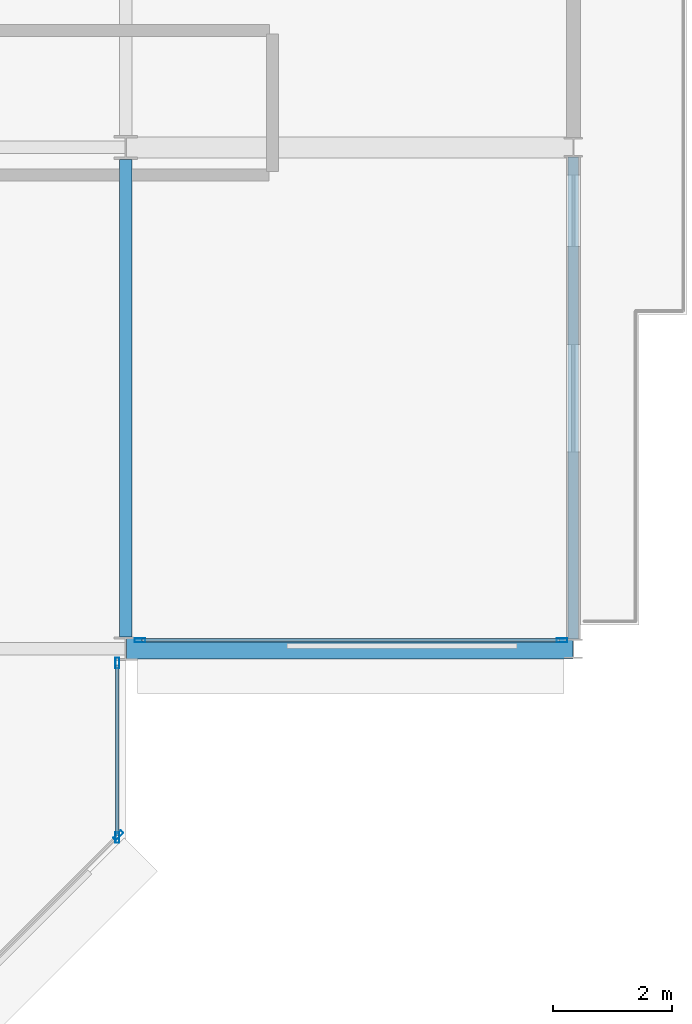
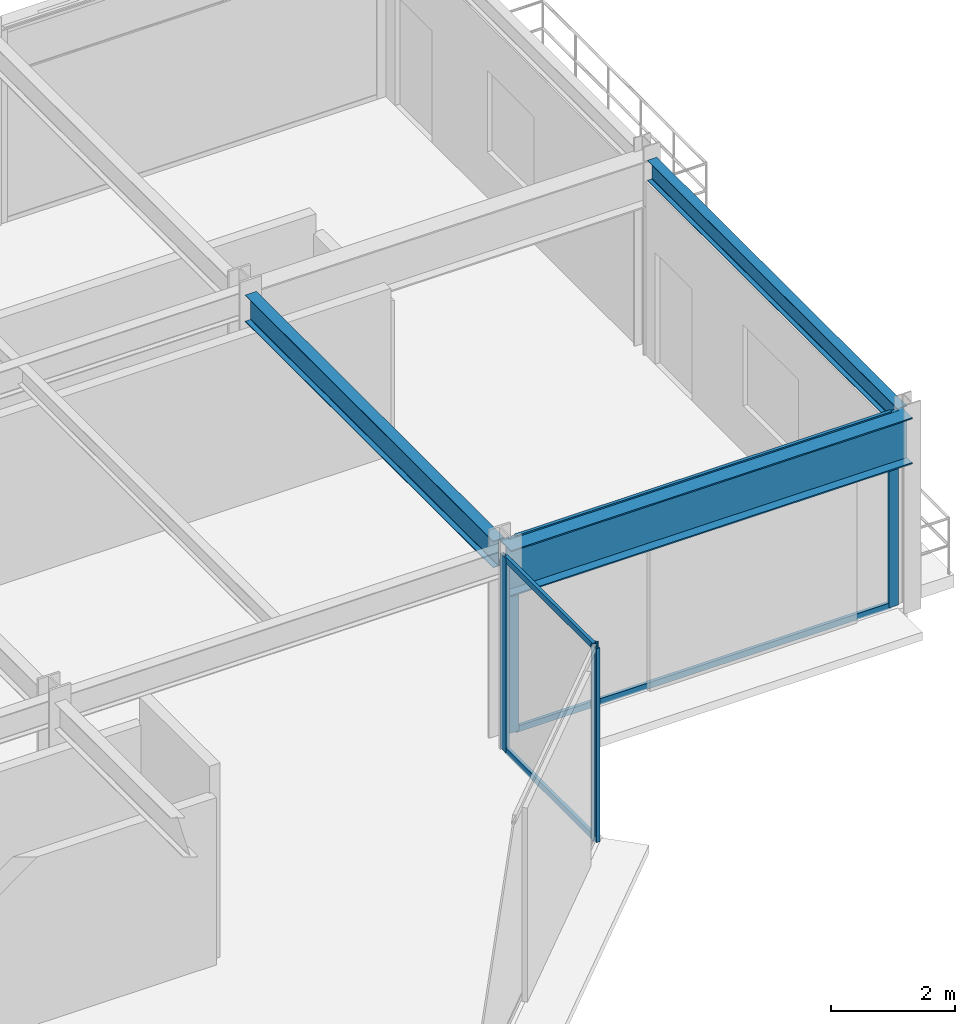
# One storey, part 18 of 39: 9 members, 3 beams, 3 elements without a shape of their own.
"""IFC4 building model written with IfcOpenShell, lengths in metres."""

from ifc_helpers import new_model, si_unit, direction, frame, origin, origin_2d, place, context, subcontext, project, spatial, hollow_rectangle, i_section, extrude, material, layer, layer_set, material_profile, profile_set, type_object, element, aggregate, save


model = new_model("IFC4")

# Units and contexts
model_context = context("Model", 3, precision=1e-05, world=origin(), true_north=direction((0.0, 1.0)))
body_context = subcontext(model_context, "Body", "Model", "MODEL_VIEW")
ifc_project = project(units=[si_unit("LENGTHUNIT", "METRE"), si_unit("AREAUNIT", "SQUARE_METRE"), si_unit("VOLUMEUNIT", "CUBIC_METRE"), si_unit("PLANEANGLEUNIT", "RADIAN"), si_unit("MASSUNIT", "GRAM", prefix="KILO")], contexts=[model_context])

# Site, building, storey
site_placement = place(None, origin())
site = spatial("IfcSite", under=ifc_project, at=site_placement, CompositionType="ELEMENT")
building_placement = place(site_placement, origin())
building = spatial("IfcBuilding", under=site, at=building_placement, Name="Nerrivon Quay Data Exchange", CompositionType="ELEMENT")
storey_placement = place(building_placement, frame((0.0, 0.0, 104.89990234375)))
storey = spatial("IfcBuildingStorey", under=building, at=storey_placement, Name="L24", CompositionType="ELEMENT", Elevation=104.89990234375)

# Beams
ifc_material_1 = material(Name="Steel Grade 350", Category="steel")
ifc_material_profile_1 = material_profile(ifc_material_1, i_section(OverallWidth=0.35009765625, OverallDepth=0.909912109375, WebThickness=0.011962890625, FlangeThickness=0.02490234375, at=origin_2d()), Name="900WB218")
ifc_profile_set_1 = profile_set([ifc_material_profile_1], Name="Steel Grade 350")
beam_type_1 = type_object("IfcBeamType", Name="BM-CANT-900WB", PredefinedType="USERDEFINED", material=ifc_profile_set_1)
beam_1_placement = place(storey_placement, frame((50.41259765625, 8.39990234375, 3.3701171875), z_axis=(1.0, 0.0, 0.0), x_axis=(0.0, 1.0, 0.0)))
element("IfcBeam", 1, at=beam_1_placement, inside=storey, type_object=beam_type_1, Name="L24 East Hooked Cantilever Girder Y=8.4", ObjectType="TRANSFER", PredefinedType="USERDEFINED", context=body_context, shape_type="SweptSolid", body=[
    extrude(i_section(OverallWidth=0.35009765625, OverallDepth=0.909912109375, WebThickness=0.011962890625, FlangeThickness=0.02490234375, at=origin_2d()), origin(), (0.0, 0.0, 1.0), 7.4794921875),
])
ifc_material_profile_2 = material_profile(ifc_material_1, i_section(OverallWidth=0.208984375, OverallDepth=0.528076171875, WebThickness=0.009521484375, FlangeThickness=0.01318359375, FilletRadius=0.013916015625, at=origin_2d()), Name="530UB82.0")
ifc_profile_set_2 = profile_set([ifc_material_profile_2], Name="Steel Grade 350")
beam_type_2 = type_object("IfcBeamType", Name="BM-G4-530UB82", PredefinedType="BEAM", material=ifc_profile_set_2)
beam_2_placement = place(storey_placement, frame((50.39990234375, 8.60009765625, 3.56103515625), z_axis=(0.0, 1.0, 0.0), x_axis=(-1.0, 0.0, 0.0)))
element("IfcBeam", 2, at=beam_2_placement, inside=storey, type_object=beam_type_2, Name="L24 NS Girder X=50.4 (8.4..16.8)", PredefinedType="BEAM", context=body_context, shape_type="SweptSolid", body=[
    extrude(i_section(OverallWidth=0.208984375, OverallDepth=0.528076171875, WebThickness=0.009521484375, FlangeThickness=0.01318359375, FilletRadius=0.013916015625, at=origin_2d()), origin(), (0.0, 0.0, 1.0), 8.0),
])
ifc_material_profile_3 = material_profile(ifc_material_1, i_section(OverallWidth=0.177978515625, OverallDepth=0.403076171875, WebThickness=0.007568359375, FlangeThickness=0.010986328125, FilletRadius=0.011474609375, at=origin_2d()), Name="410UB53.7")
ifc_profile_set_3 = profile_set([ifc_material_profile_3], Name="Steel Grade 350")
beam_type_3 = type_object("IfcBeamType", Name="BM-SP2-410UB54", PredefinedType="SPANDREL", material=ifc_profile_set_3)
beam_3_placement = place(storey_placement, frame((57.89990234375, 8.5634765625, 3.62353515625), z_axis=(0.0, 1.0, 0.0), x_axis=(-1.0, 0.0, 0.0)))
element("IfcBeam", 3, at=beam_3_placement, inside=storey, type_object=beam_type_3, Name="L24 East Hooked Edge Spandrel", PredefinedType="SPANDREL", context=body_context, shape_type="SweptSolid", body=[
    extrude(i_section(OverallWidth=0.177978515625, OverallDepth=0.403076171875, WebThickness=0.007568359375, FlangeThickness=0.010986328125, FilletRadius=0.011474609375, at=origin_2d()), origin(), (0.0, 0.0, 1.0), 8.072998046875),
])

# Curtain wall, members
ifc_material_2 = material(Name="Anodised aluminium 6063-T6", Category="aluminium")
ifc_layer_1 = layer(ifc_material_2, 0.199951171875)
ifc_layer_set_1 = layer_set([ifc_layer_1], Name="Anodised aluminium 6063-T6")
curtain_wall_type_1 = type_object("IfcCurtainWallType", Name="CW-SYS-04", PredefinedType="NOTDEFINED", material=ifc_layer_set_1)
curtain_wall_1_placement = place(storey_placement, origin())
curtain_wall_1 = element("IfcCurtainWall", 4, at=curtain_wall_1_placement, inside=storey, type_object=curtain_wall_type_1, Name="L24 Unitised Curtain Wall 3", PredefinedType="NOTDEFINED")
ifc_material_profile_4 = material_profile(ifc_material_2, hollow_rectangle(XDim=0.06494140625, YDim=0.179931640625, WallThickness=0.00341796875, at=origin_2d()), Name="ALU-MULL-180x65")
ifc_profile_set_4 = profile_set([ifc_material_profile_4], Name="Anodised aluminium 6063-T6")
member_type_1 = type_object("IfcMemberType", Name="CWM-180x65", PredefinedType="MULLION", material=ifc_profile_set_4)
member_1_placement = place(storey_placement, frame((57.70703125, 8.5400390625, 0.0), z_axis=(0.0, 0.0, 1.0), x_axis=(0.0, -1.0, 0.0)))
member_1 = element("IfcMember", 5, at=member_1_placement, type_object=member_type_1, Name="CW04 mullion 1", PredefinedType="MULLION", context=body_context, shape_type="SweptSolid", body=[
    extrude(hollow_rectangle(XDim=0.06494140625, YDim=0.179931640625, WallThickness=0.00341796875, at=origin_2d()), origin(), (0.0, 0.0, 1.0), 3.8251953125),
])
member_2_placement = place(storey_placement, frame((50.637451171875, 8.5400390625, 0.0), z_axis=(0.0, 0.0, 1.0), x_axis=(0.0, -1.0, 0.0)))
member_2 = element("IfcMember", 6, at=member_2_placement, type_object=member_type_1, Name="CW04 mullion 2", PredefinedType="MULLION", context=body_context, shape_type="SweptSolid", body=[
    extrude(hollow_rectangle(XDim=0.06494140625, YDim=0.179931640625, WallThickness=0.00341796875, at=origin_2d()), origin(), (0.0, 0.0, 1.0), 3.8251953125),
])

ifc_layer_2 = layer(ifc_material_2, 0.2099609375)
ifc_layer_set_2 = layer_set([ifc_layer_2], Name="Anodised aluminium 6063-T6")
curtain_wall_type_2 = type_object("IfcCurtainWallType", Name="CW-SYS-02", PredefinedType="NOTDEFINED", material=ifc_layer_set_2)
curtain_wall_2_placement = place(storey_placement, origin())
curtain_wall_2 = element("IfcCurtainWall", 7, at=curtain_wall_2_placement, inside=storey, type_object=curtain_wall_type_2, Name="L24 Unitised Curtain Wall 4", PredefinedType="NOTDEFINED")
member_3_placement = place(storey_placement, frame((50.260009765625, 8.16259765625, 0.0), z_axis=(0.0, 0.0, 1.0), x_axis=(1.0, 0.0, 0.0)))
member_3 = element("IfcMember", 8, at=member_3_placement, type_object=member_type_1, Name="CW02 mullion 1", PredefinedType="MULLION", context=body_context, shape_type="SweptSolid", body=[
    extrude(hollow_rectangle(XDim=0.06494140625, YDim=0.179931640625, WallThickness=0.00341796875, at=origin_2d()), origin(), (0.0, 0.0, 1.0), 3.8251953125),
])
member_4_placement = place(storey_placement, frame((50.260009765625, 5.237548828125, 0.0), z_axis=(0.0, 0.0, 1.0), x_axis=(1.0, 0.0, 0.0)))
member_4 = element("IfcMember", 9, at=member_4_placement, type_object=member_type_1, Name="CW02 mullion 2", PredefinedType="MULLION", context=body_context, shape_type="SweptSolid", body=[
    extrude(hollow_rectangle(XDim=0.06494140625, YDim=0.179931640625, WallThickness=0.00341796875, at=origin_2d()), origin(), (0.0, 0.0, 1.0), 3.8251953125),
])

# Curtain wall, member
curtain_wall_3_placement = place(storey_placement, origin())
curtain_wall_3 = element("IfcCurtainWall", 10, at=curtain_wall_3_placement, inside=storey, type_object=curtain_wall_type_2, Name="L24 Unitised Curtain Wall 5", PredefinedType="NOTDEFINED")
member_5_placement = place(storey_placement, frame((50.2744140625, 5.2724609375, 0.0), z_axis=(0.0, 0.0, 1.0), x_axis=(0.707106781187, -0.707106781187, 0.0)))
member_5 = element("IfcMember", 11, at=member_5_placement, type_object=member_type_1, Name="CW02 mullion 1", PredefinedType="MULLION", context=body_context, shape_type="SweptSolid", body=[
    extrude(hollow_rectangle(XDim=0.06494140625, YDim=0.179931640625, WallThickness=0.00341796875, at=origin_2d()), origin(), (0.0, 0.0, 1.0), 3.8251953125),
])
aggregate(curtain_wall_3, [member_5])

# Member
ifc_material_profile_5 = material_profile(ifc_material_2, hollow_rectangle(XDim=0.06005859375, YDim=0.1201171875, WallThickness=0.003173828125, at=origin_2d()), Name="ALU-TRAN-120x60")
ifc_profile_set_5 = profile_set([ifc_material_profile_5], Name="Anodised aluminium 6063-T6")
member_type_2 = type_object("IfcMemberType", Name="CWT-120x60", PredefinedType="USERDEFINED", material=ifc_profile_set_5)
member_6_placement = place(storey_placement, frame((57.66943359375, 8.5400390625, 0.03271484375), z_axis=(-1.0, 0.0, 0.0), x_axis=(0.0, -1.0, 0.0)))
member_6 = element("IfcMember", 12, at=member_6_placement, type_object=member_type_2, Name="CW04 transom 1.1", ObjectType="TRANSOM", PredefinedType="USERDEFINED", context=body_context, shape_type="SweptSolid", body=[
    extrude(hollow_rectangle(XDim=0.06005859375, YDim=0.1201171875, WallThickness=0.003173828125, at=origin_2d()), origin(), (0.0, 0.0, 1.0), 6.994384765625),
])

member_7_placement = place(storey_placement, frame((57.66943359375, 8.5400390625, 3.79248046875), z_axis=(-1.0, 0.0, 0.0), x_axis=(0.0, -1.0, 0.0)))
member_7 = element("IfcMember", 13, at=member_7_placement, type_object=member_type_2, Name="CW04 transom 1.2", ObjectType="TRANSOM", PredefinedType="USERDEFINED", context=body_context, shape_type="SweptSolid", body=[
    extrude(hollow_rectangle(XDim=0.06005859375, YDim=0.1201171875, WallThickness=0.003173828125, at=origin_2d()), origin(), (0.0, 0.0, 1.0), 6.994384765625),
])

aggregate(curtain_wall_1, [member_1, member_2, member_6, member_7])

member_8_placement = place(storey_placement, frame((50.260009765625, 8.125, 0.03271484375), z_axis=(0.0, -1.0, 0.0), x_axis=(1.0, 0.0, 0.0)))
member_8 = element("IfcMember", 14, at=member_8_placement, type_object=member_type_2, Name="CW02 transom 1.1", ObjectType="TRANSOM", PredefinedType="USERDEFINED", context=body_context, shape_type="SweptSolid", body=[
    extrude(hollow_rectangle(XDim=0.06005859375, YDim=0.1201171875, WallThickness=0.003173828125, at=origin_2d()), origin(), (0.0, 0.0, 1.0), 2.85009765625),
])

member_9_placement = place(storey_placement, frame((50.260009765625, 8.125, 3.79248046875), z_axis=(0.0, -1.0, 0.0), x_axis=(1.0, 0.0, 0.0)))
member_9 = element("IfcMember", 15, at=member_9_placement, type_object=member_type_2, Name="CW02 transom 1.2", ObjectType="TRANSOM", PredefinedType="USERDEFINED", context=body_context, shape_type="SweptSolid", body=[
    extrude(hollow_rectangle(XDim=0.06005859375, YDim=0.1201171875, WallThickness=0.003173828125, at=origin_2d()), origin(), (0.0, 0.0, 1.0), 2.85009765625),
])

aggregate(curtain_wall_2, [member_3, member_4, member_8, member_9])

save(model, "model.ifc")
